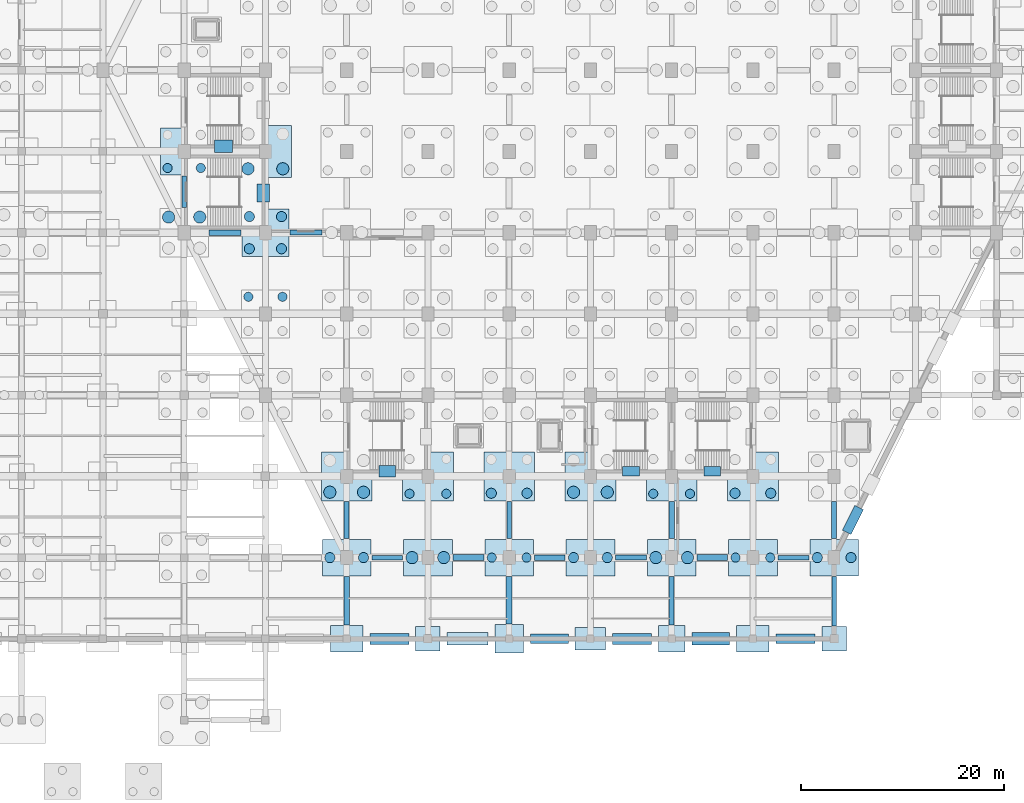
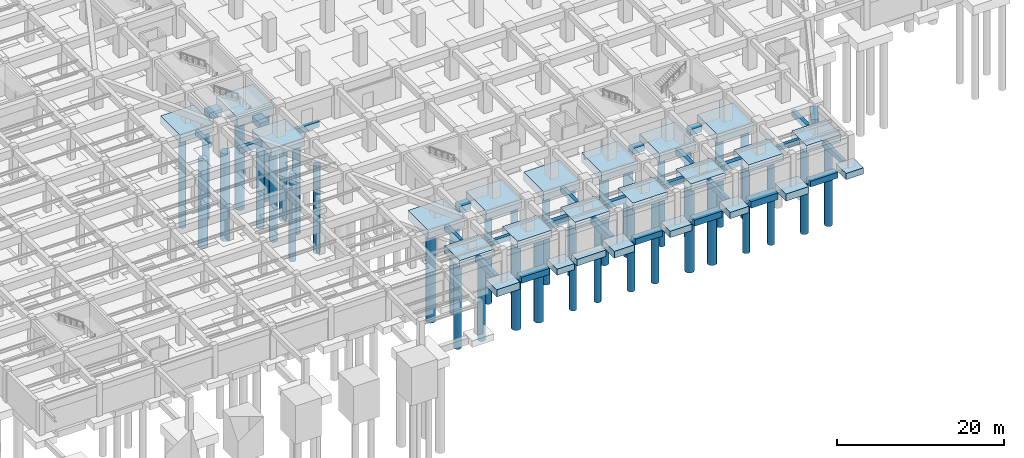
# One storey, part 3 of 36: 52 footings, 38 piles.
"""IFC4 building model written with IfcOpenShell, lengths in metres."""

from ifc_helpers import new_model, si_unit, direction, frame, origin, origin_2d, place, context, subcontext, project, spatial, rectangle, circle, extrude, material, material_profile, profile_set, type_object, element, save


model = new_model("IFC4")

# Units and contexts
model_context = context("Model", 3, precision=1e-05, world=origin(), true_north=direction((0.0, 1.0)))
body_context = subcontext(model_context, "Body", "Model", "MODEL_VIEW")
ifc_project = project(units=[si_unit("LENGTHUNIT", "METRE"), si_unit("AREAUNIT", "SQUARE_METRE"), si_unit("VOLUMEUNIT", "CUBIC_METRE"), si_unit("PLANEANGLEUNIT", "RADIAN"), si_unit("MASSUNIT", "GRAM", prefix="KILO")], contexts=[model_context])

# Site, building, storey
site_placement = place(None, origin())
site = spatial("IfcSite", under=ifc_project, at=site_placement, CompositionType="ELEMENT")
building_placement = place(site_placement, origin())
building = spatial("IfcBuilding", under=site, at=building_placement, Name="Tazarka Park Arena", CompositionType="ELEMENT")
storey_placement = place(building_placement, frame((0.0, 0.0, -4.800048828125)))
storey = spatial("IfcBuildingStorey", under=building, at=storey_placement, Name="B1", CompositionType="ELEMENT", Elevation=-4.800048828125)

# Footings
ifc_material_1 = material(Name="Concrete C35/45", Category="concrete")
footing_type_1 = type_object("IfcFootingType", Name="CAP-PC-03", PredefinedType="PILE_CAP", material=ifc_material_1)
for number, where, z_axis, x_axis, name in (
    (1, (64.0, 16.0, -1.10009765625), (0.0, 0.0, 1.0), (1.0, 0.0, 0.0), "CAP-G-08-02"),
    (2, (72.0, 16.0, -1.10009765625), (0.0, 0.0, 1.0), (1.0, 0.0, 0.0), "CAP-G-09-02"),
    (3, (80.0, 16.0, -1.10009765625), (0.0, 0.0, 1.0), (1.0, 0.0, 0.0), "CAP-G-10-02"),
    (4, (88.0, 16.0, -1.10009765625), (0.0, 0.0, 1.0), (1.0, 0.0, 0.0), "CAP-G-11-02"),
    (5, (96.0, 16.0, -1.10009765625), (0.0, 0.0, 1.0), (1.0, 0.0, 0.0), "CAP-G-12-02"),
    (6, (104.0, 16.0, -1.10009765625), (0.0, 0.0, 1.0), (1.0, 0.0, 0.0), "CAP-G-13-02"),
    (7, (112.0, 16.0, -1.10009765625), (0.0, 0.0, 1.0), (1.0, 0.0, 0.0), "CAP-G-14-02"),
):
    element("IfcFooting", number, at=place(storey_placement, frame(where, z_axis=z_axis, x_axis=x_axis)), inside=storey, type_object=footing_type_1, Name=name, PredefinedType="PILE_CAP", context=body_context, shape_type="SweptSolid", body=[
        extrude(rectangle(XDim=4.800048828125, YDim=3.60009765625, at=origin_2d()), origin(), (0.0, 0.0, 1.0), 1.10009765625),
    ])
ifc_material_2 = material(Name="Concrete C35/45", Category="concrete")
footing_type_2 = type_object("IfcFootingType", Name="CAP-PC-04", PredefinedType="PILE_CAP", material=ifc_material_2)
for number, where, z_axis, x_axis, name in (
    (8, (64.0, 24.0, -1.2998046875), (0.0, 0.0, 1.0), (1.0, 0.0, 0.0), "CAP-G-08-03"),
    (9, (72.0, 24.0, -1.2998046875), (0.0, 0.0, 1.0), (1.0, 0.0, 0.0), "CAP-G-09-03"),
    (10, (80.0, 24.0, -1.2998046875), (0.0, 0.0, 1.0), (1.0, 0.0, 0.0), "CAP-G-10-03"),
    (11, (88.0, 24.0, -1.2998046875), (0.0, 0.0, 1.0), (1.0, 0.0, 0.0), "CAP-G-11-03"),
    (12, (96.0, 24.0, -1.2998046875), (0.0, 0.0, 1.0), (1.0, 0.0, 0.0), "CAP-G-12-03"),
    (13, (104.0, 24.0, -1.2998046875), (0.0, 0.0, 1.0), (1.0, 0.0, 0.0), "CAP-G-13-03"),
):
    element("IfcFooting", number, at=place(storey_placement, frame(where, z_axis=z_axis, x_axis=x_axis)), inside=storey, type_object=footing_type_2, Name=name, PredefinedType="PILE_CAP", context=body_context, shape_type="SweptSolid", body=[
        extrude(rectangle(XDim=5.0, YDim=4.800048828125, at=origin_2d()), origin(), (0.0, 0.0, 1.0), 1.300048828125),
    ])
ifc_material_3 = material(Name="Concrete C35/45", Category="concrete")
footing_type_3 = type_object("IfcFootingType", Name="CAP-PC-07", PredefinedType="PILE_CAP", material=ifc_material_3)
for number, where, z_axis, x_axis, name in (
    (14, (48.0, 56.0, -1.14990234375), (0.0, 0.0, 1.0), (1.0, 0.0, 0.0), "CAP-G-06-07"),
    (15, (56.0, 48.0, -1.14990234375), (0.0, 0.0, 1.0), (1.0, 0.0, 0.0), "CAP-G-07-06"),
):
    element("IfcFooting", number, at=place(storey_placement, frame(where, z_axis=z_axis, x_axis=x_axis)), inside=storey, type_object=footing_type_3, Name=name, PredefinedType="PILE_CAP", context=body_context, shape_type="SweptSolid", body=[
        extrude(rectangle(XDim=4.64990234375, YDim=4.64990234375, at=origin_2d()), origin(), (0.0, 0.0, 1.0), 1.14990234375),
    ])
ifc_material_4 = material(Name="Concrete C35/45", Category="concrete")
footing_type_4 = type_object("IfcFootingType", Name="CAP-PC-08", PredefinedType="PILE_CAP", material=ifc_material_4)
footing_1_placement = place(storey_placement, frame((56.0, 56.0, -1.35009765625), z_axis=(0.0, 0.0, 1.0), x_axis=(1.0, 0.0, 0.0)))
element("IfcFooting", 16, at=footing_1_placement, inside=storey, type_object=footing_type_4, Name="CAP-G-07-07", PredefinedType="PILE_CAP", context=body_context, shape_type="SweptSolid", body=[
    extrude(rectangle(XDim=5.10009765625, YDim=5.10009765625, at=origin_2d()), origin(), (0.0, 0.0, 1.0), 1.35009765625),
])
ifc_material_5 = material(Name="Concrete C35/45", Category="concrete")
ifc_material_profile_1 = material_profile(ifc_material_5, rectangle(XDim=0.449951171875, YDim=0.699951171875, at=origin_2d()), Name="Concrete C35/45")
ifc_profile_set_1 = profile_set([ifc_material_profile_1], Name="Concrete C35/45")
footing_type_5 = type_object("IfcFootingType", Name="GB-GB-01", PredefinedType="FOOTING_BEAM", material=ifc_profile_set_1)
footing_2_placement = place(storey_placement, frame((48.0, 50.455078125, -0.349853515625), z_axis=(0.0, 1.0, 0.0), x_axis=(-1.0, 0.0, 0.0)))
element("IfcFooting", 17, at=footing_2_placement, inside=storey, type_object=footing_type_5, Name="GB-Y-06-06", PredefinedType="FOOTING_BEAM", context=body_context, shape_type="SweptSolid", body=[
    extrude(rectangle(XDim=0.449951171875, YDim=0.699951171875, at=origin_2d()), origin(), (0.0, 0.0, 1.0), 3.139892578125),
])
footing_3_placement = place(storey_placement, frame((66.47998046875, 16.0, -0.349853515625), z_axis=(1.0, 0.0, 0.0), x_axis=(0.0, 1.0, 0.0)))
element("IfcFooting", 18, at=footing_3_placement, inside=storey, type_object=footing_type_5, Name="GB-X-08-02", PredefinedType="FOOTING_BEAM", context=body_context, shape_type="SweptSolid", body=[
    extrude(rectangle(XDim=0.449951171875, YDim=0.699951171875, at=origin_2d()), origin(), (0.0, 0.0, 1.0), 3.0400390625),
])
footing_4_placement = place(storey_placement, frame((80.0, 17.8798828125, -0.349853515625), z_axis=(0.0, 1.0, 0.0), x_axis=(-1.0, 0.0, 0.0)))
element("IfcFooting", 19, at=footing_4_placement, inside=storey, type_object=footing_type_5, Name="GB-Y-10-02", PredefinedType="FOOTING_BEAM", context=body_context, shape_type="SweptSolid", body=[
    extrude(rectangle(XDim=0.449951171875, YDim=0.699951171875, at=origin_2d()), origin(), (0.0, 0.0, 1.0), 3.64013671875),
])
footing_5_placement = place(storey_placement, frame((106.47998046875, 16.0, -0.349853515625), z_axis=(1.0, 0.0, 0.0), x_axis=(0.0, 1.0, 0.0)))
element("IfcFooting", 20, at=footing_5_placement, inside=storey, type_object=footing_type_5, Name="GB-X-13-02", PredefinedType="FOOTING_BEAM", context=body_context, shape_type="SweptSolid", body=[
    extrude(rectangle(XDim=0.449951171875, YDim=0.699951171875, at=origin_2d()), origin(), (0.0, 0.0, 1.0), 3.0400390625),
])
footing_6_placement = place(storey_placement, frame((112.0, 9.280029296875, -0.349853515625), z_axis=(0.0, 1.0, 0.0), x_axis=(-1.0, 0.0, 0.0)))
element("IfcFooting", 21, at=footing_6_placement, inside=storey, type_object=footing_type_5, Name="GB-Y-14-01", PredefinedType="FOOTING_BEAM", context=body_context, shape_type="SweptSolid", body=[
    extrude(rectangle(XDim=0.449951171875, YDim=0.699951171875, at=origin_2d()), origin(), (0.0, 0.0, 1.0), 4.840087890625),
])
ifc_material_6 = material(Name="Concrete C35/45", Category="concrete")
ifc_material_profile_2 = material_profile(ifc_material_6, rectangle(XDim=0.5, YDim=0.800048828125, at=origin_2d()), Name="Concrete C35/45")
ifc_profile_set_2 = profile_set([ifc_material_profile_2], Name="Concrete C35/45")
footing_type_6 = type_object("IfcFootingType", Name="GB-GB-02", PredefinedType="FOOTING_BEAM", material=ifc_profile_set_2)
footing_7_placement = place(storey_placement, frame((58.405029296875, 48.0, -0.39990234375), z_axis=(1.0, 0.0, 0.0), x_axis=(0.0, 1.0, 0.0)))
element("IfcFooting", 22, at=footing_7_placement, inside=storey, type_object=footing_type_6, Name="GB-X-07-06", PredefinedType="FOOTING_BEAM", context=body_context, shape_type="SweptSolid", body=[
    extrude(rectangle(XDim=0.5, YDim=0.800048828125, at=origin_2d()), origin(), (0.0, 0.0, 1.0), 3.18994140625),
])
footing_8_placement = place(storey_placement, frame((64.0, 17.8798828125, -0.39990234375), z_axis=(0.0, 1.0, 0.0), x_axis=(-1.0, 0.0, 0.0)))
element("IfcFooting", 23, at=footing_8_placement, inside=storey, type_object=footing_type_6, Name="GB-Y-08-02", PredefinedType="FOOTING_BEAM", context=body_context, shape_type="SweptSolid", body=[
    extrude(rectangle(XDim=0.5, YDim=0.800048828125, at=origin_2d()), origin(), (0.0, 0.0, 1.0), 3.64013671875),
])
footing_9_placement = place(storey_placement, frame((90.47998046875, 16.0, -0.39990234375), z_axis=(1.0, 0.0, 0.0), x_axis=(0.0, 1.0, 0.0)))
element("IfcFooting", 24, at=footing_9_placement, inside=storey, type_object=footing_type_6, Name="GB-X-11-02", PredefinedType="FOOTING_BEAM", context=body_context, shape_type="SweptSolid", body=[
    extrude(rectangle(XDim=0.5, YDim=0.800048828125, at=origin_2d()), origin(), (0.0, 0.0, 1.0), 3.0400390625),
])
footing_10_placement = place(storey_placement, frame((96.0, 9.3798828125, -0.39990234375), z_axis=(0.0, 1.0, 0.0), x_axis=(-1.0, 0.0, 0.0)))
element("IfcFooting", 25, at=footing_10_placement, inside=storey, type_object=footing_type_6, Name="GB-Y-12-01", PredefinedType="FOOTING_BEAM", context=body_context, shape_type="SweptSolid", body=[
    extrude(rectangle(XDim=0.5, YDim=0.800048828125, at=origin_2d()), origin(), (0.0, 0.0, 1.0), 4.740234375),
])
footing_11_placement = place(storey_placement, frame((112.0, 17.8798828125, -0.39990234375), z_axis=(0.0, 1.0, 0.0), x_axis=(-1.0, 0.0, 0.0)))
element("IfcFooting", 26, at=footing_11_placement, inside=storey, type_object=footing_type_6, Name="GB-Y-14-02", PredefinedType="FOOTING_BEAM", context=body_context, shape_type="SweptSolid", body=[
    extrude(rectangle(XDim=0.5, YDim=0.800048828125, at=origin_2d()), origin(), (0.0, 0.0, 1.0), 3.64013671875),
])
ifc_material_7 = material(Name="Concrete C35/45", Category="concrete")
ifc_material_profile_3 = material_profile(ifc_material_7, rectangle(XDim=0.60009765625, YDim=0.949951171875, at=origin_2d()), Name="Concrete C35/45")
ifc_profile_set_3 = profile_set([ifc_material_profile_3], Name="Concrete C35/45")
footing_type_7 = type_object("IfcFootingType", Name="GB-GB-03", PredefinedType="FOOTING_BEAM", material=ifc_profile_set_3)
footing_12_placement = place(storey_placement, frame((74.47998046875, 16.0, -0.474853515625), z_axis=(1.0, 0.0, 0.0), x_axis=(0.0, 1.0, 0.0)))
element("IfcFooting", 27, at=footing_12_placement, inside=storey, type_object=footing_type_7, Name="GB-X-09-02", PredefinedType="FOOTING_BEAM", context=body_context, shape_type="SweptSolid", body=[
    extrude(rectangle(XDim=0.60009765625, YDim=0.949951171875, at=origin_2d()), origin(), (0.0, 0.0, 1.0), 3.0400390625),
])
footing_13_placement = place(storey_placement, frame((80.0, 9.47998046875, -0.474853515625), z_axis=(0.0, 1.0, 0.0), x_axis=(-1.0, 0.0, 0.0)))
element("IfcFooting", 28, at=footing_13_placement, inside=storey, type_object=footing_type_7, Name="GB-Y-10-01", PredefinedType="FOOTING_BEAM", context=body_context, shape_type="SweptSolid", body=[
    extrude(rectangle(XDim=0.60009765625, YDim=0.949951171875, at=origin_2d()), origin(), (0.0, 0.0, 1.0), 4.64013671875),
])
footing_14_placement = place(storey_placement, frame((98.47998046875, 16.0, -0.474853515625), z_axis=(1.0, 0.0, 0.0), x_axis=(0.0, 1.0, 0.0)))
element("IfcFooting", 29, at=footing_14_placement, inside=storey, type_object=footing_type_7, Name="GB-X-12-02", PredefinedType="FOOTING_BEAM", context=body_context, shape_type="SweptSolid", body=[
    extrude(rectangle(XDim=0.60009765625, YDim=0.949951171875, at=origin_2d()), origin(), (0.0, 0.0, 1.0), 3.0400390625),
])
ifc_material_8 = material(Name="Concrete C35/45", Category="concrete")
ifc_material_profile_4 = material_profile(ifc_material_8, rectangle(XDim=0.550048828125, YDim=0.85009765625, at=origin_2d()), Name="Concrete C35/45")
ifc_profile_set_4 = profile_set([ifc_material_profile_4], Name="Concrete C35/45")
footing_type_8 = type_object("IfcFootingType", Name="GB-GB-04", PredefinedType="FOOTING_BEAM", material=ifc_profile_set_4)
footing_15_placement = place(storey_placement, frame((50.455078125, 48.0, -0.425048828125), z_axis=(1.0, 0.0, 0.0), x_axis=(0.0, 1.0, 0.0)))
element("IfcFooting", 30, at=footing_15_placement, inside=storey, type_object=footing_type_8, Name="GB-X-06-06", PredefinedType="FOOTING_BEAM", context=body_context, shape_type="SweptSolid", body=[
    extrude(rectangle(XDim=0.550048828125, YDim=0.85009765625, at=origin_2d()), origin(), (0.0, 0.0, 1.0), 3.139892578125),
])
footing_16_placement = place(storey_placement, frame((64.0, 9.3798828125, -0.425048828125), z_axis=(0.0, 1.0, 0.0), x_axis=(-1.0, 0.0, 0.0)))
element("IfcFooting", 31, at=footing_16_placement, inside=storey, type_object=footing_type_8, Name="GB-Y-08-01", PredefinedType="FOOTING_BEAM", context=body_context, shape_type="SweptSolid", body=[
    extrude(rectangle(XDim=0.550048828125, YDim=0.85009765625, at=origin_2d()), origin(), (0.0, 0.0, 1.0), 4.740234375),
])
footing_17_placement = place(storey_placement, frame((82.47998046875, 16.0, -0.425048828125), z_axis=(1.0, 0.0, 0.0), x_axis=(0.0, 1.0, 0.0)))
element("IfcFooting", 32, at=footing_17_placement, inside=storey, type_object=footing_type_8, Name="GB-X-10-02", PredefinedType="FOOTING_BEAM", context=body_context, shape_type="SweptSolid", body=[
    extrude(rectangle(XDim=0.550048828125, YDim=0.85009765625, at=origin_2d()), origin(), (0.0, 0.0, 1.0), 3.0400390625),
])
footing_18_placement = place(storey_placement, frame((96.0, 17.8798828125, -0.425048828125), z_axis=(0.0, 1.0, 0.0), x_axis=(-1.0, 0.0, 0.0)))
element("IfcFooting", 33, at=footing_18_placement, inside=storey, type_object=footing_type_8, Name="GB-Y-12-02", PredefinedType="FOOTING_BEAM", context=body_context, shape_type="SweptSolid", body=[
    extrude(rectangle(XDim=0.550048828125, YDim=0.85009765625, at=origin_2d()), origin(), (0.0, 0.0, 1.0), 3.64013671875),
])
ifc_material_9 = material(Name="Concrete C35/45", Category="concrete")
footing_type_9 = type_object("IfcFootingType", Name="PAD-PF-01", PredefinedType="PAD_FOOTING", material=ifc_material_9)
for number, where, z_axis, x_axis, name in (
    (34, (72.0, 8.0, -0.89990234375), (0.0, 0.0, 1.0), (1.0, 0.0, 0.0), "PAD-G-09-01"),
    (35, (112.0, 8.0, -0.89990234375), (0.0, 0.0, 1.0), (1.0, 0.0, 0.0), "PAD-G-14-01"),
):
    element("IfcFooting", number, at=place(storey_placement, frame(where, z_axis=z_axis, x_axis=x_axis)), inside=storey, type_object=footing_type_9, Name=name, PredefinedType="PAD_FOOTING", context=body_context, shape_type="SweptSolid", body=[
        extrude(rectangle(XDim=2.39990234375, YDim=2.39990234375, at=origin_2d()), origin(), (0.0, 0.0, 1.0), 0.89990234375),
    ])
ifc_material_10 = material(Name="Concrete C35/45", Category="concrete")
footing_type_10 = type_object("IfcFootingType", Name="PAD-PF-02", PredefinedType="PAD_FOOTING", material=ifc_material_10)
footing_19_placement = place(storey_placement, frame((80.0, 8.0, -1.0), z_axis=(0.0, 0.0, 1.0), x_axis=(1.0, 0.0, 0.0)))
element("IfcFooting", 36, at=footing_19_placement, inside=storey, type_object=footing_type_10, Name="PAD-G-10-01", PredefinedType="PAD_FOOTING", context=body_context, shape_type="SweptSolid", body=[
    extrude(rectangle(XDim=2.800048828125, YDim=2.800048828125, at=origin_2d()), origin(), (0.0, 0.0, 1.0), 1.0),
])
ifc_material_11 = material(Name="Concrete C35/45", Category="concrete")
footing_type_11 = type_object("IfcFootingType", Name="PAD-PF-03", PredefinedType="PAD_FOOTING", material=ifc_material_11)
footing_20_placement = place(storey_placement, frame((88.0, 8.0, -0.94970703125), z_axis=(0.0, 0.0, 1.0), x_axis=(1.0, 0.0, 0.0)))
element("IfcFooting", 37, at=footing_20_placement, inside=storey, type_object=footing_type_11, Name="PAD-G-11-01", PredefinedType="PAD_FOOTING", context=body_context, shape_type="SweptSolid", body=[
    extrude(rectangle(XDim=3.0, YDim=2.199951171875, at=origin_2d()), origin(), (0.0, 0.0, 1.0), 0.949951171875),
])
ifc_material_12 = material(Name="Concrete C35/45", Category="concrete")
footing_type_12 = type_object("IfcFootingType", Name="PAD-PF-04", PredefinedType="PAD_FOOTING", material=ifc_material_12)
footing_21_placement = place(storey_placement, frame((96.0, 8.0, -0.919921875), z_axis=(0.0, 0.0, 1.0), x_axis=(1.0, 0.0, 0.0)))
element("IfcFooting", 38, at=footing_21_placement, inside=storey, type_object=footing_type_12, Name="PAD-G-12-01", PredefinedType="PAD_FOOTING", context=body_context, shape_type="SweptSolid", body=[
    extrude(rectangle(XDim=2.60009765625, YDim=2.60009765625, at=origin_2d()), origin(), (0.0, 0.0, 1.0), 0.919921875),
])
ifc_material_13 = material(Name="Concrete C35/45", Category="concrete")
footing_type_13 = type_object("IfcFootingType", Name="PAD-PF-05", PredefinedType="PAD_FOOTING", material=ifc_material_13)
for number, where, z_axis, x_axis, name in (
    (39, (64.0, 8.0, -1.0498046875), (0.0, 0.0, 1.0), (1.0, 0.0, 0.0), "PAD-G-08-01"),
    (40, (104.0, 8.0, -1.0498046875), (0.0, 0.0, 1.0), (1.0, 0.0, 0.0), "PAD-G-13-01"),
):
    element("IfcFooting", number, at=place(storey_placement, frame(where, z_axis=z_axis, x_axis=x_axis)), inside=storey, type_object=footing_type_13, Name=name, PredefinedType="PAD_FOOTING", context=body_context, shape_type="SweptSolid", body=[
        extrude(rectangle(XDim=3.199951171875, YDim=2.60009765625, at=origin_2d()), origin(), (0.0, 0.0, 1.0), 1.050048828125),
    ])

# Piles
ifc_material_14 = material(Name="Concrete C35/45", Category="concrete")
ifc_material_profile_5 = material_profile(ifc_material_14, circle(Radius=0.5, at=origin_2d()), Name="Concrete C35/45")
ifc_profile_set_5 = profile_set([ifc_material_profile_5], Name="Concrete C35/45")
pile_type_1 = type_object("IfcPileType", Name="PILE-D1000", PredefinedType="BORED", material=ifc_profile_set_5)
for number, where, z_axis, x_axis, name in (
    (41, (54.4150390625, 46.4150390625, -1.050048828125), (0.0, 0.0, -1.0), (1.0, 0.0, 0.0), "PLN-G-07-06-1"),
    (42, (57.5849609375, 46.4150390625, -1.050048828125), (0.0, 0.0, -1.0), (1.0, 0.0, 0.0), "PLN-G-07-06-2"),
    (43, (54.4150390625, 49.5849609375, -1.050048828125), (0.0, 0.0, -1.0), (1.0, 0.0, 0.0), "PLN-G-07-06-3"),
    (44, (57.5849609375, 49.5849609375, -1.050048828125), (0.0, 0.0, -1.0), (1.0, 0.0, 0.0), "PLN-G-07-06-4"),
):
    element("IfcPile", number, at=place(storey_placement, frame(where, z_axis=z_axis, x_axis=x_axis)), inside=storey, type_object=pile_type_1, Name=name, PredefinedType="BORED", context=body_context, shape_type="SweptSolid", body=[
        extrude(circle(Radius=0.5, at=origin_2d()), origin(), (0.0, 0.0, 1.0), 12.949951171875),
    ])
for number, where, z_axis, x_axis, name in (
    (45, (62.340087890625, 16.0, -1.0), (0.0, 0.0, -1.0), (1.0, 0.0, 0.0), "PLN-G-08-02-1"),
    (46, (65.659912109375, 16.0, -1.0), (0.0, 0.0, -1.0), (1.0, 0.0, 0.0), "PLN-G-08-02-2"),
):
    element("IfcPile", number, at=place(storey_placement, frame(where, z_axis=z_axis, x_axis=x_axis)), inside=storey, type_object=pile_type_1, Name=name, PredefinedType="BORED", context=body_context, shape_type="SweptSolid", body=[
        extrude(circle(Radius=0.5, at=origin_2d()), origin(), (0.0, 0.0, 1.0), 13.0),
    ])
for number, where, z_axis, x_axis, name in (
    (47, (78.239990234375, 22.340087890625, -1.199951171875), (0.0, 0.0, -1.0), (1.0, 0.0, 0.0), "PLN-G-10-03-1"),
    (48, (81.760009765625, 22.340087890625, -1.199951171875), (0.0, 0.0, -1.0), (1.0, 0.0, 0.0), "PLN-G-10-03-2"),
):
    element("IfcPile", number, at=place(storey_placement, frame(where, z_axis=z_axis, x_axis=x_axis)), inside=storey, type_object=pile_type_1, Name=name, PredefinedType="BORED", context=body_context, shape_type="SweptSolid", body=[
        extrude(circle(Radius=0.5, at=origin_2d()), origin(), (0.0, 0.0, 1.0), 12.800048828125),
    ])
for number, where, z_axis, x_axis, name in (
    (49, (86.340087890625, 16.0, -1.0), (0.0, 0.0, -1.0), (1.0, 0.0, 0.0), "PLN-G-11-02-1"),
    (50, (89.659912109375, 16.0, -1.0), (0.0, 0.0, -1.0), (1.0, 0.0, 0.0), "PLN-G-11-02-2"),
):
    element("IfcPile", number, at=place(storey_placement, frame(where, z_axis=z_axis, x_axis=x_axis)), inside=storey, type_object=pile_type_1, Name=name, PredefinedType="BORED", context=body_context, shape_type="SweptSolid", body=[
        extrude(circle(Radius=0.5, at=origin_2d()), origin(), (0.0, 0.0, 1.0), 13.0),
    ])
for number, where, z_axis, x_axis, name in (
    (51, (102.239990234375, 22.340087890625, -1.199951171875), (0.0, 0.0, -1.0), (1.0, 0.0, 0.0), "PLN-G-13-03-1"),
    (52, (105.760009765625, 22.340087890625, -1.199951171875), (0.0, 0.0, -1.0), (1.0, 0.0, 0.0), "PLN-G-13-03-2"),
):
    element("IfcPile", number, at=place(storey_placement, frame(where, z_axis=z_axis, x_axis=x_axis)), inside=storey, type_object=pile_type_1, Name=name, PredefinedType="BORED", context=body_context, shape_type="SweptSolid", body=[
        extrude(circle(Radius=0.5, at=origin_2d()), origin(), (0.0, 0.0, 1.0), 12.800048828125),
    ])
for number, where, z_axis, x_axis, name in (
    (53, (110.340087890625, 16.0, -1.0), (0.0, 0.0, -1.0), (1.0, 0.0, 0.0), "PLN-G-14-02-1"),
    (54, (113.659912109375, 16.0, -1.0), (0.0, 0.0, -1.0), (1.0, 0.0, 0.0), "PLN-G-14-02-2"),
):
    element("IfcPile", number, at=place(storey_placement, frame(where, z_axis=z_axis, x_axis=x_axis)), inside=storey, type_object=pile_type_1, Name=name, PredefinedType="BORED", context=body_context, shape_type="SweptSolid", body=[
        extrude(circle(Radius=0.5, at=origin_2d()), origin(), (0.0, 0.0, 1.0), 13.0),
    ])
ifc_material_15 = material(Name="Concrete C35/45", Category="concrete")
ifc_material_profile_6 = material_profile(ifc_material_15, circle(Radius=0.60009765625, at=origin_2d()), Name="Concrete C35/45")
ifc_profile_set_6 = profile_set([ifc_material_profile_6], Name="Concrete C35/45")
pile_type_2 = type_object("IfcPileType", Name="PILE-D1200", PredefinedType="BORED", material=ifc_profile_set_6)
for number, where, z_axis, x_axis, name in (
    (55, (46.465087890625, 49.534912109375, -1.14990234375), (0.0, 0.0, -1.0), (1.0, 0.0, 0.0), "PLN-G-06-06-3"),
    (56, (49.534912109375, 49.534912109375, -1.14990234375), (0.0, 0.0, -1.0), (1.0, 0.0, 0.0), "PLN-G-06-06-4"),
):
    element("IfcPile", number, at=place(storey_placement, frame(where, z_axis=z_axis, x_axis=x_axis)), inside=storey, type_object=pile_type_2, Name=name, PredefinedType="BORED", context=body_context, shape_type="SweptSolid", body=[
        extrude(circle(Radius=0.60009765625, at=origin_2d()), origin(), (0.0, 0.0, 1.0), 12.85009765625),
    ])
for number, where, z_axis, x_axis, name in (
    (57, (54.2900390625, 54.2900390625, -1.25), (0.0, 0.0, -1.0), (1.0, 0.0, 0.0), "PLN-G-07-07-1"),
    (58, (57.7099609375, 54.2900390625, -1.25), (0.0, 0.0, -1.0), (1.0, 0.0, 0.0), "PLN-G-07-07-2"),
):
    element("IfcPile", number, at=place(storey_placement, frame(where, z_axis=z_axis, x_axis=x_axis)), inside=storey, type_object=pile_type_2, Name=name, PredefinedType="BORED", context=body_context, shape_type="SweptSolid", body=[
        extrude(circle(Radius=0.60009765625, at=origin_2d()), origin(), (0.0, 0.0, 1.0), 12.75),
    ])
for number, where, z_axis, x_axis, name in (
    (59, (62.340087890625, 22.43994140625, -1.199951171875), (0.0, 0.0, -1.0), (1.0, 0.0, 0.0), "PLN-G-08-03-1"),
    (60, (65.659912109375, 22.43994140625, -1.199951171875), (0.0, 0.0, -1.0), (1.0, 0.0, 0.0), "PLN-G-08-03-2"),
):
    element("IfcPile", number, at=place(storey_placement, frame(where, z_axis=z_axis, x_axis=x_axis)), inside=storey, type_object=pile_type_2, Name=name, PredefinedType="BORED", context=body_context, shape_type="SweptSolid", body=[
        extrude(circle(Radius=0.60009765625, at=origin_2d()), origin(), (0.0, 0.0, 1.0), 12.800048828125),
    ])
for number, where, z_axis, x_axis, name in (
    (61, (70.43994140625, 16.0, -1.0), (0.0, 0.0, -1.0), (1.0, 0.0, 0.0), "PLN-G-09-02-1"),
    (62, (73.56005859375, 16.0, -1.0), (0.0, 0.0, -1.0), (1.0, 0.0, 0.0), "PLN-G-09-02-2"),
):
    element("IfcPile", number, at=place(storey_placement, frame(where, z_axis=z_axis, x_axis=x_axis)), inside=storey, type_object=pile_type_2, Name=name, PredefinedType="BORED", context=body_context, shape_type="SweptSolid", body=[
        extrude(circle(Radius=0.60009765625, at=origin_2d()), origin(), (0.0, 0.0, 1.0), 13.0),
    ])
for number, where, z_axis, x_axis, name in (
    (63, (86.340087890625, 22.43994140625, -1.199951171875), (0.0, 0.0, -1.0), (1.0, 0.0, 0.0), "PLN-G-11-03-1"),
    (64, (89.659912109375, 22.43994140625, -1.199951171875), (0.0, 0.0, -1.0), (1.0, 0.0, 0.0), "PLN-G-11-03-2"),
):
    element("IfcPile", number, at=place(storey_placement, frame(where, z_axis=z_axis, x_axis=x_axis)), inside=storey, type_object=pile_type_2, Name=name, PredefinedType="BORED", context=body_context, shape_type="SweptSolid", body=[
        extrude(circle(Radius=0.60009765625, at=origin_2d()), origin(), (0.0, 0.0, 1.0), 12.800048828125),
    ])
for number, where, z_axis, x_axis, name in (
    (65, (94.43994140625, 16.0, -1.0), (0.0, 0.0, -1.0), (1.0, 0.0, 0.0), "PLN-G-12-02-1"),
    (66, (97.56005859375, 16.0, -1.0), (0.0, 0.0, -1.0), (1.0, 0.0, 0.0), "PLN-G-12-02-2"),
):
    element("IfcPile", number, at=place(storey_placement, frame(where, z_axis=z_axis, x_axis=x_axis)), inside=storey, type_object=pile_type_2, Name=name, PredefinedType="BORED", context=body_context, shape_type="SweptSolid", body=[
        extrude(circle(Radius=0.60009765625, at=origin_2d()), origin(), (0.0, 0.0, 1.0), 13.0),
    ])
ifc_material_16 = material(Name="Concrete C35/45", Category="concrete")
ifc_material_profile_7 = material_profile(ifc_material_16, circle(Radius=0.449951171875, at=origin_2d()), Name="Concrete C35/45")
ifc_profile_set_7 = profile_set([ifc_material_profile_7], Name="Concrete C35/45")
pile_type_3 = type_object("IfcPileType", Name="PILE-D900", PredefinedType="BORED", material=ifc_profile_set_7)
for number, where, z_axis, x_axis, name in (
    (67, (46.364990234375, 54.364990234375, -1.050048828125), (0.0, 0.0, -1.0), (1.0, 0.0, 0.0), "PLN-G-06-07-1"),
    (68, (49.635009765625, 54.364990234375, -1.050048828125), (0.0, 0.0, -1.0), (1.0, 0.0, 0.0), "PLN-G-06-07-2"),
):
    element("IfcPile", number, at=place(storey_placement, frame(where, z_axis=z_axis, x_axis=x_axis)), inside=storey, type_object=pile_type_3, Name=name, PredefinedType="BORED", context=body_context, shape_type="SweptSolid", body=[
        extrude(circle(Radius=0.449951171875, at=origin_2d()), origin(), (0.0, 0.0, 1.0), 12.949951171875),
    ])
for number, where, z_axis, x_axis, name in (
    (69, (54.31494140625, 41.68505859375, -1.14990234375), (0.0, 0.0, -1.0), (1.0, 0.0, 0.0), "PLN-G-07-05-3"),
    (70, (57.68505859375, 41.68505859375, -1.14990234375), (0.0, 0.0, -1.0), (1.0, 0.0, 0.0), "PLN-G-07-05-4"),
):
    element("IfcPile", number, at=place(storey_placement, frame(where, z_axis=z_axis, x_axis=x_axis)), inside=storey, type_object=pile_type_3, Name=name, PredefinedType="BORED", context=body_context, shape_type="SweptSolid", body=[
        extrude(circle(Radius=0.449951171875, at=origin_2d()), origin(), (0.0, 0.0, 1.0), 12.85009765625),
    ])
for number, where, z_axis, x_axis, name in (
    (71, (70.18994140625, 22.2900390625, -1.199951171875), (0.0, 0.0, -1.0), (1.0, 0.0, 0.0), "PLN-G-09-03-1"),
    (72, (73.81005859375, 22.2900390625, -1.199951171875), (0.0, 0.0, -1.0), (1.0, 0.0, 0.0), "PLN-G-09-03-2"),
):
    element("IfcPile", number, at=place(storey_placement, frame(where, z_axis=z_axis, x_axis=x_axis)), inside=storey, type_object=pile_type_3, Name=name, PredefinedType="BORED", context=body_context, shape_type="SweptSolid", body=[
        extrude(circle(Radius=0.449951171875, at=origin_2d()), origin(), (0.0, 0.0, 1.0), 12.800048828125),
    ])
for number, where, z_axis, x_axis, name in (
    (73, (78.2900390625, 16.0, -1.0), (0.0, 0.0, -1.0), (1.0, 0.0, 0.0), "PLN-G-10-02-1"),
    (74, (81.7099609375, 16.0, -1.0), (0.0, 0.0, -1.0), (1.0, 0.0, 0.0), "PLN-G-10-02-2"),
):
    element("IfcPile", number, at=place(storey_placement, frame(where, z_axis=z_axis, x_axis=x_axis)), inside=storey, type_object=pile_type_3, Name=name, PredefinedType="BORED", context=body_context, shape_type="SweptSolid", body=[
        extrude(circle(Radius=0.449951171875, at=origin_2d()), origin(), (0.0, 0.0, 1.0), 13.0),
    ])
for number, where, z_axis, x_axis, name in (
    (75, (94.18994140625, 22.2900390625, -1.199951171875), (0.0, 0.0, -1.0), (1.0, 0.0, 0.0), "PLN-G-12-03-1"),
    (76, (97.81005859375, 22.2900390625, -1.199951171875), (0.0, 0.0, -1.0), (1.0, 0.0, 0.0), "PLN-G-12-03-2"),
):
    element("IfcPile", number, at=place(storey_placement, frame(where, z_axis=z_axis, x_axis=x_axis)), inside=storey, type_object=pile_type_3, Name=name, PredefinedType="BORED", context=body_context, shape_type="SweptSolid", body=[
        extrude(circle(Radius=0.449951171875, at=origin_2d()), origin(), (0.0, 0.0, 1.0), 12.800048828125),
    ])
for number, where, z_axis, x_axis, name in (
    (77, (102.2900390625, 16.0, -1.0), (0.0, 0.0, -1.0), (1.0, 0.0, 0.0), "PLN-G-13-02-1"),
    (78, (105.7099609375, 16.0, -1.0), (0.0, 0.0, -1.0), (1.0, 0.0, 0.0), "PLN-G-13-02-2"),
):
    element("IfcPile", number, at=place(storey_placement, frame(where, z_axis=z_axis, x_axis=x_axis)), inside=storey, type_object=pile_type_3, Name=name, PredefinedType="BORED", context=body_context, shape_type="SweptSolid", body=[
        extrude(circle(Radius=0.449951171875, at=origin_2d()), origin(), (0.0, 0.0, 1.0), 13.0),
    ])

# Footings
ifc_material_17 = material(Name="Concrete C35/45", Category="concrete")
ifc_material_profile_8 = material_profile(ifc_material_17, rectangle(XDim=0.949951171875, YDim=0.85009765625, at=origin_2d()), Name="Concrete C35/45")
ifc_profile_set_8 = profile_set([ifc_material_profile_8], Name="Concrete C35/45")
footing_type_14 = type_object("IfcFootingType", Name="SF-SF-01", PredefinedType="STRIP_FOOTING", material=ifc_profile_set_8)
footing_22_placement = place(storey_placement, frame((85.820068359375, 8.0, -0.425048828125), z_axis=(-1.0, 0.0, 0.0), x_axis=(0.0, -1.0, 0.0)))
element("IfcFooting", 79, at=footing_22_placement, inside=storey, type_object=footing_type_14, Name="SF-EW-0027", PredefinedType="STRIP_FOOTING", context=body_context, shape_type="SweptSolid", body=[
    extrude(rectangle(XDim=0.949951171875, YDim=0.85009765625, at=origin_2d()), origin(), (0.0, 0.0, 1.0), 3.739990234375),
])
footing_23_placement = place(storey_placement, frame((110.1201171875, 8.0, -0.425048828125), z_axis=(-1.0, 0.0, 0.0), x_axis=(0.0, -1.0, 0.0)))
element("IfcFooting", 80, at=footing_23_placement, inside=storey, type_object=footing_type_14, Name="SF-EW-0030", PredefinedType="STRIP_FOOTING", context=body_context, shape_type="SweptSolid", body=[
    extrude(rectangle(XDim=0.949951171875, YDim=0.85009765625, at=origin_2d()), origin(), (0.0, 0.0, 1.0), 3.840087890625),
])
footing_24_placement = place(storey_placement, frame((114.4599609375, 20.919921875, -0.425048828125), z_axis=(-0.4472135955, -0.894427191, 0.0), x_axis=(0.894427191, -0.4472135955, 0.0)))
element("IfcFooting", 81, at=footing_24_placement, inside=storey, type_object=footing_type_14, Name="SF-EW-0036", PredefinedType="STRIP_FOOTING", context=body_context, shape_type="SweptSolid", body=[
    extrude(rectangle(XDim=0.949951171875, YDim=0.85009765625, at=origin_2d()), origin(), (0.0, 0.0, 1.0), 2.72802734375),
])
for number, where, z_axis, x_axis, name in (
    (82, (100.820068359375, 24.5, -0.425048828125), (-1.0, 0.0, 0.0), (0.0, -1.0, 0.0), "SF-ST11-S-1"),
    (83, (92.820068359375, 24.5, -0.425048828125), (-1.0, 0.0, 0.0), (0.0, -1.0, 0.0), "SF-ST23-S-1"),
):
    element("IfcFooting", number, at=place(storey_placement, frame(where, z_axis=z_axis, x_axis=x_axis)), inside=storey, type_object=footing_type_14, Name=name, PredefinedType="STRIP_FOOTING", context=body_context, shape_type="SweptSolid", body=[
        extrude(rectangle(XDim=0.949951171875, YDim=0.85009765625, at=origin_2d()), origin(), (0.0, 0.0, 1.0), 1.64013671875),
    ])
ifc_material_18 = material(Name="Concrete C35/45", Category="concrete")
ifc_material_profile_9 = material_profile(ifc_material_18, rectangle(XDim=1.10009765625, YDim=0.89990234375, at=origin_2d()), Name="Concrete C35/45")
ifc_profile_set_9 = profile_set([ifc_material_profile_9], Name="Concrete C35/45")
footing_type_15 = type_object("IfcFootingType", Name="SF-SF-02", PredefinedType="STRIP_FOOTING", material=ifc_profile_set_9)
for number, where, z_axis, x_axis, name in (
    (84, (70.1201171875, 8.0, -0.449951171875), (-1.0, 0.0, 0.0), (0.0, -1.0, 0.0), "SF-EW-0025"),
    (85, (94.02001953125, 8.0, -0.449951171875), (-1.0, 0.0, 0.0), (0.0, -1.0, 0.0), "SF-EW-0028"),
):
    element("IfcFooting", number, at=place(storey_placement, frame(where, z_axis=z_axis, x_axis=x_axis)), inside=storey, type_object=footing_type_15, Name=name, PredefinedType="STRIP_FOOTING", context=body_context, shape_type="SweptSolid", body=[
        extrude(rectangle(XDim=1.10009765625, YDim=0.89990234375, at=origin_2d()), origin(), (0.0, 0.0, 1.0), 3.840087890625),
    ])
footing_25_placement = place(storey_placement, frame((68.820068359375, 24.5, -0.449951171875), z_axis=(-1.0, 0.0, 0.0), x_axis=(0.0, -1.0, 0.0)))
element("IfcFooting", 86, at=footing_25_placement, inside=storey, type_object=footing_type_15, Name="SF-ST09-S-1", PredefinedType="STRIP_FOOTING", context=body_context, shape_type="SweptSolid", body=[
    extrude(rectangle(XDim=1.10009765625, YDim=0.89990234375, at=origin_2d()), origin(), (0.0, 0.0, 1.0), 1.64013671875),
])
ifc_material_19 = material(Name="Concrete C35/45", Category="concrete")
ifc_material_profile_10 = material_profile(ifc_material_19, rectangle(XDim=1.25, YDim=0.949951171875, at=origin_2d()), Name="Concrete C35/45")
ifc_profile_set_10 = profile_set([ifc_material_profile_10], Name="Concrete C35/45")
footing_type_16 = type_object("IfcFootingType", Name="SF-SF-03", PredefinedType="STRIP_FOOTING", material=ifc_profile_set_10)
footing_26_placement = place(storey_placement, frame((77.919921875, 8.0, -0.474853515625), z_axis=(-1.0, 0.0, 0.0), x_axis=(0.0, -1.0, 0.0)))
element("IfcFooting", 87, at=footing_26_placement, inside=storey, type_object=footing_type_16, Name="SF-EW-0026", PredefinedType="STRIP_FOOTING", context=body_context, shape_type="SweptSolid", body=[
    extrude(rectangle(XDim=1.25, YDim=0.949951171875, at=origin_2d()), origin(), (0.0, 0.0, 1.0), 4.0400390625),
])
footing_27_placement = place(storey_placement, frame((101.719970703125, 8.0, -0.474853515625), z_axis=(-1.0, 0.0, 0.0), x_axis=(0.0, -1.0, 0.0)))
element("IfcFooting", 88, at=footing_27_placement, inside=storey, type_object=footing_type_16, Name="SF-EW-0029", PredefinedType="STRIP_FOOTING", context=body_context, shape_type="SweptSolid", body=[
    extrude(rectangle(XDim=1.25, YDim=0.949951171875, at=origin_2d()), origin(), (0.0, 0.0, 1.0), 3.739990234375),
])
for number, where, z_axis, x_axis, name in (
    (89, (52.77001953125, 56.5, -0.474853515625), (-1.0, 0.0, 0.0), (0.0, -1.0, 0.0), "SF-ST13-S-1"),
    (90, (55.800048828125, 52.77001953125, -0.474853515625), (0.0, -1.0, 0.0), (1.0, 0.0, 0.0), "SF-ST19-E-1"),
):
    element("IfcFooting", number, at=place(storey_placement, frame(where, z_axis=z_axis, x_axis=x_axis)), inside=storey, type_object=footing_type_16, Name=name, PredefinedType="STRIP_FOOTING", context=body_context, shape_type="SweptSolid", body=[
        extrude(rectangle(XDim=1.25, YDim=0.949951171875, at=origin_2d()), origin(), (0.0, 0.0, 1.0), 1.76513671875),
    ])

save(model, "model.ifc")
